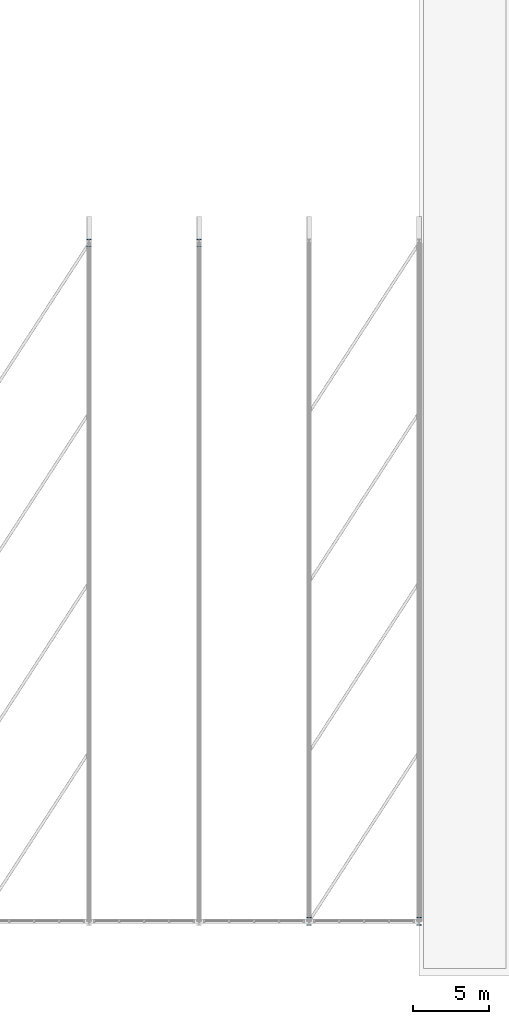
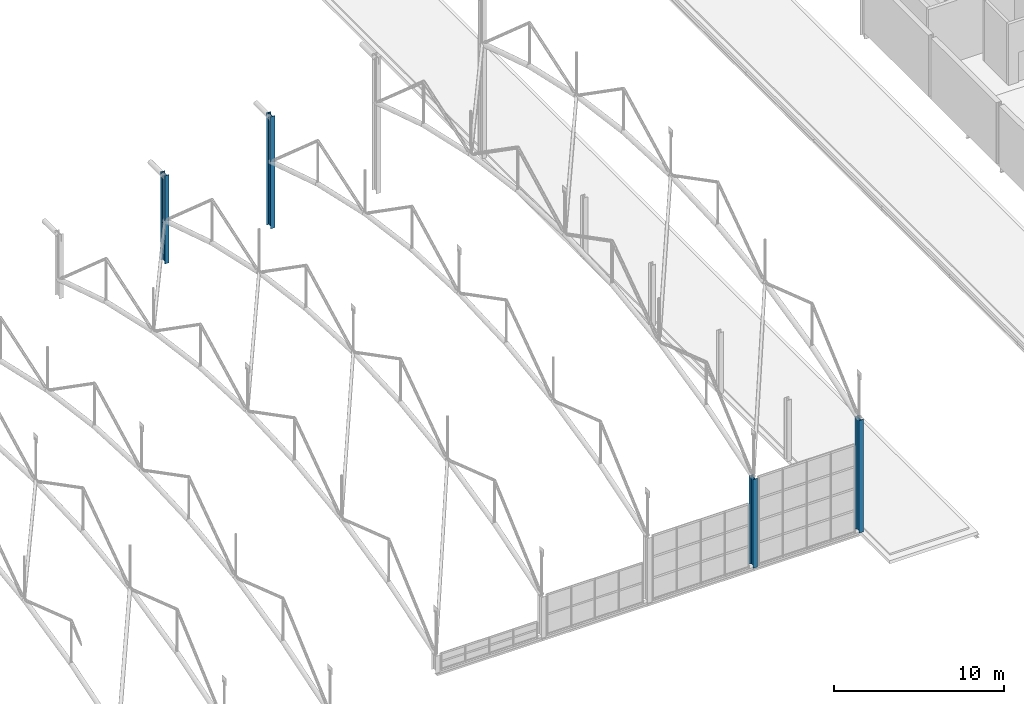
# One storey, part 4 of 153: 4 columns.
"""IFC4 building model written with IfcOpenShell, lengths in metres."""

import ifcopenshell
import ifcopenshell.guid

model = None  # the IFC model being written
_history = None  # IfcOwnerHistory: only IFC2X3 demands one
_inside = {}  # id of a spatial element -> (the spatial element, [elements in it])
_under = {}  # id of a project, library or spatial element -> (it, [spatial elements below it])
_declared = {}  # id of a project -> (the project, [libraries it declares])
_typed = {}  # id of a type object -> (the type object, [elements of that type])
_made_of = {}  # id of a material, layer set ... -> (it, [elements and type objects made of it])


def new_model(schema):
    """Start an empty IFC model of exactly this schema.

    Asked for "IFC4X3", IfcOpenShell would pick the latest addendum, in which some entities
    have other attributes; the version numbers below select the first issue.
    IFC2X3 requires an IfcOwnerHistory on every rooted entity: one is made here for all.
    """
    global model, _history
    if schema == "IFC4X3":
        model = ifcopenshell.file(schema_version=(4, 3, 0, 0))
    else:
        model = ifcopenshell.file(schema=schema)
    _inside.clear()
    _under.clear()
    _declared.clear()
    _typed.clear()
    _made_of.clear()
    _history = None
    if model.schema == "IFC2X3":
        org = make("IfcOrganization", Name="unknown")
        user = make(
            "IfcPersonAndOrganization",
            ThePerson=make("IfcPerson", FamilyName="unknown"),
            TheOrganization=org,
        )
        app = make(
            "IfcApplication",
            ApplicationDeveloper=org,
            Version="unknown",
            ApplicationFullName="unknown",
            ApplicationIdentifier="unknown",
        )
        _history = make(
            "IfcOwnerHistory",
            OwningUser=user,
            OwningApplication=app,
            ChangeAction="ADDED",
            CreationDate=0,
        )
    return model


def make(cls, **values):
    """One entity of the class cls with the attributes given. An attribute that is None is left unset."""
    return model.create_entity(
        cls, **{name: value for name, value in values.items() if value is not None}
    )


def rooted(cls, **values):
    """An entity with a GlobalId (a new one), such as an element, a storey or a relation."""
    return make(cls, GlobalId=ifcopenshell.guid.new(), OwnerHistory=_history, **values)


def si_unit(unit_type, name, prefix=None):
    """IfcSIUnit, for example si_unit("LENGTHUNIT", "METRE", prefix="MILLI")."""
    return make("IfcSIUnit", UnitType=unit_type, Prefix=prefix, Name=name)


def derived_unit(unit_type, elements):
    """IfcDerivedUnit: a product of units, each with its exponent."""
    return make(
        "IfcDerivedUnit",
        Elements=[
            make("IfcDerivedUnitElement", Unit=unit, Exponent=power)
            for unit, power in elements
        ],
        UnitType=unit_type,
    )


def assignment(units):
    """IfcUnitAssignment: the units of a project."""
    return None if units is None else make("IfcUnitAssignment", Units=units)


def point(xyz):
    """IfcCartesianPoint."""
    return None if xyz is None else make("IfcCartesianPoint", Coordinates=xyz)


def direction(xyz):
    """IfcDirection."""
    return None if xyz is None else make("IfcDirection", DirectionRatios=xyz)


def frame(location, z_axis=None, x_axis=None):
    """IfcAxis2Placement3D, a coordinate frame: its origin and axes. An axis left out is left unset."""
    return make(
        "IfcAxis2Placement3D",
        Location=point(location),
        Axis=direction(z_axis),
        RefDirection=direction(x_axis),
    )


def frame_2d(location, x_axis=None):
    """IfcAxis2Placement2D, a coordinate frame in the plane: its origin and x axis."""
    return make(
        "IfcAxis2Placement2D", Location=point(location), RefDirection=direction(x_axis)
    )


def origin():
    """The frame at (0, 0, 0) with its axes left unset."""
    return frame((0.0, 0.0, 0.0))


def origin_2d():
    """The frame at (0, 0) in the plane with its x axis left unset."""
    return frame_2d((0.0, 0.0))


def place(relative_to, where):
    """IfcLocalPlacement: puts the frame where relative to a parent placement (None: the world)."""
    return make(
        "IfcLocalPlacement", PlacementRelTo=relative_to, RelativePlacement=where
    )


def context(
    kind, dimensions, precision=None, world=None, true_north=None, identifier=None
):
    """IfcGeometricRepresentationContext, for example the 3D "Model" context."""
    return make(
        "IfcGeometricRepresentationContext",
        ContextIdentifier=identifier,
        ContextType=kind,
        CoordinateSpaceDimension=dimensions,
        Precision=precision,
        WorldCoordinateSystem=world,
        TrueNorth=true_north,
    )


def subcontext(parent, identifier, kind, view, scale=None):
    """IfcGeometricRepresentationSubContext, for example "Body" below "Model"."""
    return make(
        "IfcGeometricRepresentationSubContext",
        ContextIdentifier=identifier,
        ContextType=kind,
        ParentContext=parent,
        TargetScale=scale,
        TargetView=view,
    )


def project(units=None, contexts=None):
    """IfcProject with its units and contexts."""
    return rooted(
        "IfcProject",
        Name="project",
        RepresentationContexts=contexts,
        UnitsInContext=assignment(units),
    )


def spatial(cls, under=None, at=None, **own):
    """A site, building, storey or space (cls), placed at a placement, below another one or the project."""
    s = rooted(cls, ObjectPlacement=at, **own)
    if under is not None:
        _under.setdefault(under.id(), (under, []))[1].append(s)
    return s


def profile(cls, at=None, kind="AREA", **sizes):
    """A parametric profile (cls). Its sizes go by their IFC names, for example OverallWidth=200.0."""
    return make(cls, ProfileType=kind, Position=at, **sizes)


def i_section(**sizes):
    """IfcIShapeProfileDef."""
    return profile("IfcIShapeProfileDef", **sizes)


def extrude(swept, where, along, depth):
    """IfcExtrudedAreaSolid: the profile swept, set in the frame where, extruded along a direction by depth."""
    return make(
        "IfcExtrudedAreaSolid",
        SweptArea=swept,
        Position=where,
        ExtrudedDirection=direction(along),
        Depth=depth,
    )


def shape(context_of_items, identifier, shape_type, items):
    """IfcShapeRepresentation: the items that make up one representation, for example the "Body"."""
    return make(
        "IfcShapeRepresentation",
        ContextOfItems=context_of_items,
        RepresentationIdentifier=identifier,
        RepresentationType=shape_type,
        Items=items,
    )


def material(Name=None, Category=None):
    """IfcMaterial."""
    return make("IfcMaterial", Name=Name, Category=Category)


def material_profile(
    of_material, cross_section, Name=None, Category=None, Priority=None
):
    """IfcMaterialProfile: a cross section and its material."""
    return make(
        "IfcMaterialProfile",
        Name=Name,
        Material=of_material,
        Profile=cross_section,
        Priority=Priority,
        Category=Category,
    )


def profile_set(profiles, Name=None, composite=None):
    """IfcMaterialProfileSet."""
    return make(
        "IfcMaterialProfileSet",
        Name=Name,
        MaterialProfiles=profiles,
        CompositeProfile=composite,
    )


def made_of(thing, what):
    """Note that an element or type object is made of a material, layer set ...; save() writes the relation."""
    if what is not None:
        _made_of.setdefault(what.id(), (what, []))[1].append(thing)
    return thing


def type_object(cls, material=None, **own):
    """A type object (cls), such as IfcWallType, which elements share."""
    return made_of(rooted(cls, **own), material)


def element(
    cls,
    number,
    at=None,
    inside=None,
    cuts=None,
    type_object=None,
    material=None,
    context=None,
    identifier="Body",
    shape_type=None,
    held_by="IfcProductDefinitionShape",
    body=None,
    shapes=None,
    **own,
):
    """One element of the class cls, such as IfcWall. Its Tag is "e" and its number.

    at: its placement. inside: the storey or other place that contains it. cuts: it is an
    opening in that element (IfcRelVoidsElement). A single representation is given by context,
    identifier, shape_type and body (its items); several are given by shapes. held_by: the class
    of the entity that holds the representations. save() writes the other relations.
    """
    e = rooted(cls, Tag="e%d" % number, ObjectPlacement=at, **own)
    if body is not None:
        shapes = [shape(context, identifier, shape_type, body)]
    if shapes is not None:
        e.Representation = make(held_by, Representations=shapes)
    if inside is not None:
        _inside.setdefault(inside.id(), (inside, []))[1].append(e)
    if cuts is not None:
        rooted(
            "IfcRelVoidsElement", RelatingBuildingElement=cuts, RelatedOpeningElement=e
        )
    if type_object is not None:
        _typed.setdefault(type_object.id(), (type_object, []))[1].append(e)
    return made_of(e, material)


def aggregate(whole, parts):
    """IfcRelAggregates: a whole, such as a stair, and the parts it consists of."""
    return rooted("IfcRelAggregates", RelatingObject=whole, RelatedObjects=parts)


def save(model, path):
    """Write the relations noted so far, then the file.

    IfcRelAggregates (storeys below a building ...), IfcRelContainedInSpatialStructure (elements
    in a storey), IfcRelDefinesByType, IfcRelAssociatesMaterial and IfcRelDeclares: one each for
    every whole, place, type object, material and project.
    """
    for whole, parts in _under.values():
        aggregate(whole, parts)
    for where, things in _inside.values():
        rooted(
            "IfcRelContainedInSpatialStructure",
            RelatedElements=things,
            RelatingStructure=where,
        )
    for kind, things in _typed.values():
        rooted("IfcRelDefinesByType", RelatedObjects=things, RelatingType=kind)
    for what, things in _made_of.values():
        rooted("IfcRelAssociatesMaterial", RelatedObjects=things, RelatingMaterial=what)
    for by, libraries in _declared.values():
        rooted("IfcRelDeclares", RelatingContext=by, RelatedDefinitions=libraries)
    model.write(path)


model = new_model("IFC4")

# Units and contexts
model_context = context("Model", 3, precision=1e-05, world=origin(), true_north=direction((0.0, 1.0)))
body_context = subcontext(model_context, "Body", "Model", "MODEL_VIEW")
ifc_project = project(units=[si_unit("LENGTHUNIT", "METRE"), si_unit("AREAUNIT", "SQUARE_METRE"), si_unit("VOLUMEUNIT", "CUBIC_METRE"), si_unit("PLANEANGLEUNIT", "RADIAN"), si_unit("MASSUNIT", "GRAM", prefix="KILO"), derived_unit("THERMALTRANSMITTANCEUNIT", [(si_unit("POWERUNIT", "WATT"), 1), (si_unit("LENGTHUNIT", "METRE"), -2), (si_unit("THERMODYNAMICTEMPERATUREUNIT", "KELVIN"), -1)])], contexts=[model_context])

# Site, building, storey
site_placement = place(None, origin())
site = spatial("IfcSite", under=ifc_project, at=site_placement, CompositionType="ELEMENT")
building_placement = place(site_placement, origin())
building = spatial("IfcBuilding", under=site, at=building_placement, Name="Keldorne Ridge Multi-Sports Centre", CompositionType="ELEMENT")
storey_placement = place(building_placement, frame((0.0, 0.0, 9.60009765625)))
storey = spatial("IfcBuildingStorey", under=building, at=storey_placement, Name="L02", CompositionType="ELEMENT", Elevation=9.60009765625)

# Columns
ifc_material = material(Name="Steel S355", Category="steel")
ifc_material_profile = material_profile(ifc_material, i_section(OverallWidth=0.300048828125, OverallDepth=0.5, WebThickness=0.014404296875, FlangeThickness=0.028076171875, FilletRadius=0.027099609375, at=origin_2d()), Name="HEB 500")
ifc_profile_set = profile_set([ifc_material_profile], Name="Steel S355")
column_type = type_object("IfcColumnType", Name="COL-C-05", PredefinedType="COLUMN", material=ifc_profile_set)
column_1_placement = place(storey_placement, frame((56.39990234375, 54.0, 0.0), z_axis=(0.0, 0.0, 1.0), x_axis=(1.0, 0.0, 0.0)))
element("IfcColumn", 1, at=column_1_placement, inside=storey, type_object=column_type, Name="Structural column V1-HALL-N-08 on L02", PredefinedType="COLUMN", context=body_context, shape_type="SweptSolid", body=[
    extrude(i_section(OverallWidth=0.300048828125, OverallDepth=0.5, WebThickness=0.014404296875, FlangeThickness=0.028076171875, FilletRadius=0.027099609375, at=origin_2d()), origin(), (0.0, 0.0, 1.0), 6.33984375),
])
column_2_placement = place(storey_placement, frame((63.60009765625, 54.0, 0.0), z_axis=(0.0, 0.0, 1.0), x_axis=(1.0, 0.0, 0.0)))
element("IfcColumn", 2, at=column_2_placement, inside=storey, type_object=column_type, Name="Structural column V1-HALL-N-09 on L02", PredefinedType="COLUMN", context=body_context, shape_type="SweptSolid", body=[
    extrude(i_section(OverallWidth=0.300048828125, OverallDepth=0.5, WebThickness=0.014404296875, FlangeThickness=0.028076171875, FilletRadius=0.027099609375, at=origin_2d()), origin(), (0.0, 0.0, 1.0), 8.059814453125),
])
column_3_placement = place(storey_placement, frame((70.800048828125, 9.60009765625, 0.0), z_axis=(0.0, 0.0, 1.0), x_axis=(1.0, 0.0, 0.0)))
element("IfcColumn", 3, at=column_3_placement, inside=storey, type_object=column_type, Name="Structural column V1-HALL-S-10 on L02", PredefinedType="COLUMN", context=body_context, shape_type="SweptSolid", body=[
    extrude(i_section(OverallWidth=0.300048828125, OverallDepth=0.5, WebThickness=0.014404296875, FlangeThickness=0.028076171875, FilletRadius=0.027099609375, at=origin_2d()), origin(), (0.0, 0.0, 1.0), 6.3798828125),
])
column_4_placement = place(storey_placement, frame((78.0, 9.60009765625, 0.0), z_axis=(0.0, 0.0, 1.0), x_axis=(1.0, 0.0, 0.0)))
element("IfcColumn", 4, at=column_4_placement, inside=storey, type_object=column_type, Name="Structural column V1-HALL-S-11 on L02", PredefinedType="COLUMN", context=body_context, shape_type="SweptSolid", body=[
    extrude(i_section(OverallWidth=0.300048828125, OverallDepth=0.5, WebThickness=0.014404296875, FlangeThickness=0.028076171875, FilletRadius=0.027099609375, at=origin_2d()), origin(), (0.0, 0.0, 1.0), 8.099853515625),
])

save(model, "model.ifc")
